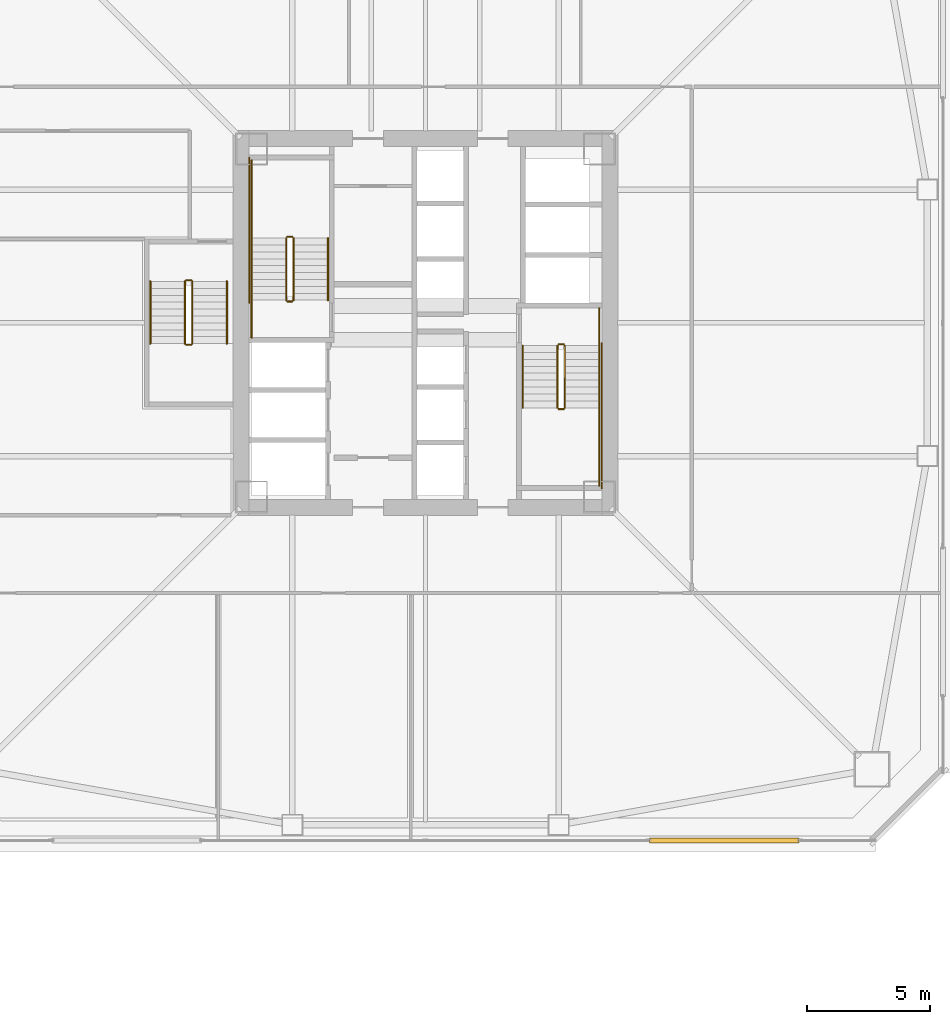
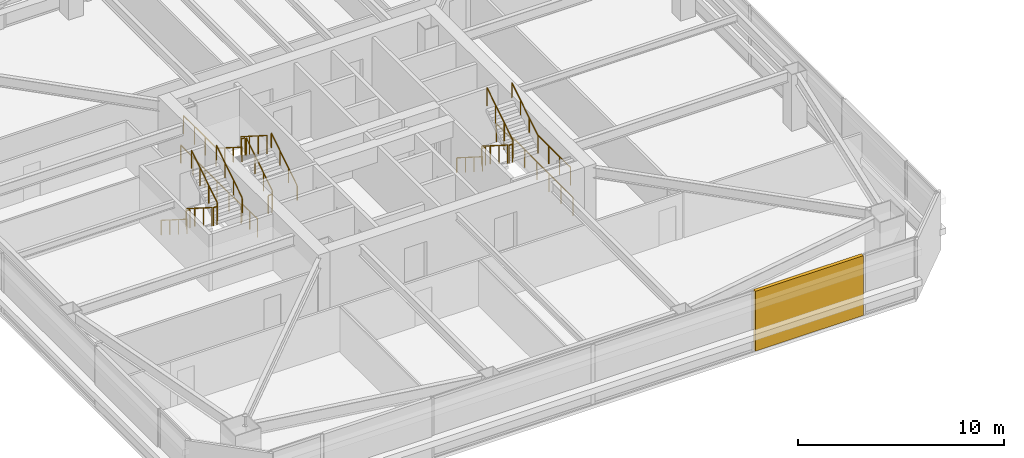
# One storey, part 44 of 48: 24 railings, 1 covering.
"""IFC4 building model written with IfcOpenShell, lengths in metres."""

from ifc_helpers import new_model, si_unit, direction, frame, origin, origin_2d, place, context, subcontext, project, spatial, rectangle, extrude, material, layer, layer_set, type_object, element, save


model = new_model("IFC4")

# Units and contexts
model_context = context("Model", 3, precision=1e-05, world=origin(), true_north=direction((0.0, 1.0)))
body_context = subcontext(model_context, "Body", "Model", "MODEL_VIEW")
ifc_project = project(units=[si_unit("LENGTHUNIT", "METRE"), si_unit("AREAUNIT", "SQUARE_METRE"), si_unit("VOLUMEUNIT", "CUBIC_METRE"), si_unit("PLANEANGLEUNIT", "RADIAN"), si_unit("MASSUNIT", "GRAM", prefix="KILO")], contexts=[model_context])

# Site, building, storey
site_placement = place(None, origin())
site = spatial("IfcSite", under=ifc_project, at=site_placement, CompositionType="ELEMENT")
building_placement = place(site_placement, origin())
building = spatial("IfcBuilding", under=site, at=building_placement, Name="Tashvorn Skyway Center", CompositionType="ELEMENT")
storey_placement = place(building_placement, frame((0.0, 0.0, 77.85009765625)))
storey = spatial("IfcBuildingStorey", under=building, at=storey_placement, Name="L20", CompositionType="ELEMENT", Elevation=77.85009765625)

# Covering
ifc_material_1 = material(Name="Precast concrete C40/50", Category="concrete")
ifc_layer = layer(ifc_material_1, 0.199951171875)
ifc_layer_set = layer_set([ifc_layer], Name="Precast concrete C40/50")
covering_type = type_object("IfcCoveringType", Name="COV-BRACE-CLAD", PredefinedType="CLADDING", material=ifc_layer_set)
covering_placement = place(storey_placement, frame((54.1201171875, 11.02001953125, 0.0), z_axis=(0.0, 0.0, 1.0), x_axis=(-1.0, 0.0, 0.0)))
element("IfcCovering", 1, at=covering_placement, inside=storey, type_object=covering_type, Name="Tower 1 L20 South Unitised Curtain Wall Mega-Brace Cladding Band 1", PredefinedType="CLADDING", context=body_context, shape_type="SweptSolid", body=[
    extrude(rectangle(XDim=6.06005859375, YDim=0.199951171875, at=origin_2d()), origin(), (0.0, 0.0, 1.0), 3.550048828125),
])

# Railings
ifc_material_2 = material(Name="Brushed stainless steel 316", Category="steel")
railing_type_1 = type_object("IfcRailingType", Name="RAIL-HAND-920", PredefinedType="HANDRAIL", material=ifc_material_2)
railing_1_placement = place(storey_placement, frame((38.050048828125, 32.919921875, 0.177490234375)))
element("IfcRailing", 2, at=railing_1_placement, inside=storey, type_object=railing_type_1, Name="L20 ST-T1-1 stair handrail 1", PredefinedType="HANDRAIL", context=body_context, shape_type="SweptSolid", body=[
    extrude(rectangle(XDim=0.048095703125, YDim=0.048095703125, at=origin_2d()), frame((0.0, 0.0, 0.8759765625), z_axis=(0.0, 0.84460694969, 0.535386869969), x_axis=(-1.0, 0.0, 0.0)), (0.0, 0.0, 1.0), 2.983642578125),
    extrude(rectangle(XDim=0.0419921875, YDim=0.0419921875, at=origin_2d()), origin(), (0.0, 0.0, 1.0), 0.851806640625),
    extrude(rectangle(XDim=0.0419921875, YDim=0.0419921875, at=origin_2d()), frame((0.0, 0.840087890625, 0.532470703125)), (0.0, 0.0, 1.0), 0.851806640625),
    extrude(rectangle(XDim=0.0419921875, YDim=0.0419921875, at=origin_2d()), frame((0.0, 1.679931640625, 1.06494140625)), (0.0, 0.0, 1.0), 0.851806640625),
    extrude(rectangle(XDim=0.0419921875, YDim=0.0419921875, at=origin_2d()), frame((0.0, 2.52001953125, 1.597412109375)), (0.0, 0.0, 1.0), 0.851806640625),
])
for number, where, name in (
    (3, (34.949951171875, 35.43994140625, 1.952392578125), "L20 ST-T1-1 stair handrail 2"),
    (4, (45.949951171875, 31.080078125, 0.177490234375), "L20 ST-T1-2 stair handrail 1"),
):
    element("IfcRailing", number, at=place(storey_placement, frame(where)), inside=storey, type_object=railing_type_1, Name=name, PredefinedType="HANDRAIL", context=body_context, shape_type="SweptSolid", body=[
        extrude(rectangle(XDim=0.048095703125, YDim=0.048095703125, at=origin_2d()), frame((0.0, 0.0, 0.8759765625), z_axis=(0.0, -0.84460694969, 0.535386869969), x_axis=(1.0, 0.0, 0.0)), (0.0, 0.0, 1.0), 2.983642578125),
        extrude(rectangle(XDim=0.0419921875, YDim=0.0419921875, at=origin_2d()), origin(), (0.0, 0.0, 1.0), 0.851806640625),
        extrude(rectangle(XDim=0.0419921875, YDim=0.0419921875, at=origin_2d()), frame((0.0, -0.840087890625, 0.532470703125)), (0.0, 0.0, 1.0), 0.851806640625),
        extrude(rectangle(XDim=0.0419921875, YDim=0.0419921875, at=origin_2d()), frame((0.0, -1.679931640625, 1.06494140625)), (0.0, 0.0, 1.0), 0.851806640625),
        extrude(rectangle(XDim=0.0419921875, YDim=0.0419921875, at=origin_2d()), frame((0.0, -2.52001953125, 1.597412109375)), (0.0, 0.0, 1.0), 0.851806640625),
    ])
railing_2_placement = place(storey_placement, frame((49.050048828125, 28.56005859375, 1.952392578125)))
element("IfcRailing", 5, at=railing_2_placement, inside=storey, type_object=railing_type_1, Name="L20 ST-T1-2 stair handrail 2", PredefinedType="HANDRAIL", context=body_context, shape_type="SweptSolid", body=[
    extrude(rectangle(XDim=0.048095703125, YDim=0.048095703125, at=origin_2d()), frame((0.0, 0.0, 0.8759765625), z_axis=(0.0, 0.84460694969, 0.535386869969), x_axis=(-1.0, 0.0, 0.0)), (0.0, 0.0, 1.0), 2.983642578125),
    extrude(rectangle(XDim=0.0419921875, YDim=0.0419921875, at=origin_2d()), origin(), (0.0, 0.0, 1.0), 0.851806640625),
    extrude(rectangle(XDim=0.0419921875, YDim=0.0419921875, at=origin_2d()), frame((0.0, 0.840087890625, 0.532470703125)), (0.0, 0.0, 1.0), 0.851806640625),
    extrude(rectangle(XDim=0.0419921875, YDim=0.0419921875, at=origin_2d()), frame((0.0, 1.679931640625, 1.06494140625)), (0.0, 0.0, 1.0), 0.851806640625),
    extrude(rectangle(XDim=0.0419921875, YDim=0.0419921875, at=origin_2d()), frame((0.0, 2.52001953125, 1.597412109375)), (0.0, 0.0, 1.0), 0.851806640625),
])
railing_3_placement = place(storey_placement, frame((30.85009765625, 33.679931640625, 0.177490234375)))
element("IfcRailing", 6, at=railing_3_placement, inside=storey, type_object=railing_type_1, Name="L20 ST-T1-3 stair handrail 1", PredefinedType="HANDRAIL", context=body_context, shape_type="SweptSolid", body=[
    extrude(rectangle(XDim=0.048095703125, YDim=0.048095703125, at=origin_2d()), frame((0.0, 0.0, 0.8759765625), z_axis=(0.0, -0.84460694969, 0.535386869969), x_axis=(1.0, 0.0, 0.0)), (0.0, 0.0, 1.0), 2.983642578125),
    extrude(rectangle(XDim=0.0419921875, YDim=0.0419921875, at=origin_2d()), origin(), (0.0, 0.0, 1.0), 0.851806640625),
    extrude(rectangle(XDim=0.0419921875, YDim=0.0419921875, at=origin_2d()), frame((0.0, -0.840087890625, 0.532470703125)), (0.0, 0.0, 1.0), 0.851806640625),
    extrude(rectangle(XDim=0.0419921875, YDim=0.0419921875, at=origin_2d()), frame((0.0, -1.679931640625, 1.06494140625)), (0.0, 0.0, 1.0), 0.851806640625),
    extrude(rectangle(XDim=0.0419921875, YDim=0.0419921875, at=origin_2d()), frame((0.0, -2.52001953125, 1.597412109375)), (0.0, 0.0, 1.0), 0.851806640625),
])
railing_4_placement = place(storey_placement, frame((33.949951171875, 31.159912109375, 1.952392578125)))
element("IfcRailing", 7, at=railing_4_placement, inside=storey, type_object=railing_type_1, Name="L20 ST-T1-3 stair handrail 2", PredefinedType="HANDRAIL", context=body_context, shape_type="SweptSolid", body=[
    extrude(rectangle(XDim=0.048095703125, YDim=0.048095703125, at=origin_2d()), frame((0.0, 0.0, 0.8759765625), z_axis=(0.0, 0.84460694969, 0.535386869969), x_axis=(-1.0, 0.0, 0.0)), (0.0, 0.0, 1.0), 2.983642578125),
    extrude(rectangle(XDim=0.0419921875, YDim=0.0419921875, at=origin_2d()), origin(), (0.0, 0.0, 1.0), 0.851806640625),
    extrude(rectangle(XDim=0.0419921875, YDim=0.0419921875, at=origin_2d()), frame((0.0, 0.840087890625, 0.532470703125)), (0.0, 0.0, 1.0), 0.851806640625),
    extrude(rectangle(XDim=0.0419921875, YDim=0.0419921875, at=origin_2d()), frame((0.0, 1.679931640625, 1.06494140625)), (0.0, 0.0, 1.0), 0.851806640625),
    extrude(rectangle(XDim=0.0419921875, YDim=0.0419921875, at=origin_2d()), frame((0.0, 2.52001953125, 1.597412109375)), (0.0, 0.0, 1.0), 0.851806640625),
])
ifc_material_3 = material(Name="Painted galvanized steel S355", Category="steel")
railing_type_2 = type_object("IfcRailingType", Name="RAIL-STGUARD-1100", PredefinedType="GUARDRAIL", material=ifc_material_3)
railing_5_placement = place(storey_placement, frame((36.64990234375, 32.919921875, 0.177490234375)))
element("IfcRailing", 8, at=railing_5_placement, inside=storey, type_object=railing_type_2, Name="L20 ST-T1-1 stair guard 1", PredefinedType="GUARDRAIL", context=body_context, shape_type="SweptSolid", body=[
    extrude(rectangle(XDim=0.048095703125, YDim=0.048095703125, at=origin_2d()), frame((0.0, 0.0, 1.076171875), z_axis=(0.0, 0.84460694969, 0.535386869969), x_axis=(-1.0, 0.0, 0.0)), (0.0, 0.0, 1.0), 2.983642578125),
    extrude(rectangle(XDim=0.0419921875, YDim=0.0419921875, at=origin_2d()), origin(), (0.0, 0.0, 1.0), 1.052001953125),
    extrude(rectangle(XDim=0.0419921875, YDim=0.0419921875, at=origin_2d()), frame((0.0, 0.840087890625, 0.532470703125)), (0.0, 0.0, 1.0), 1.052001953125),
    extrude(rectangle(XDim=0.0419921875, YDim=0.0419921875, at=origin_2d()), frame((0.0, 1.679931640625, 1.06494140625)), (0.0, 0.0, 1.0), 1.052001953125),
    extrude(rectangle(XDim=0.0419921875, YDim=0.0419921875, at=origin_2d()), frame((0.0, 2.52001953125, 1.597412109375)), (0.0, 0.0, 1.0), 1.052001953125),
])
railing_6_placement = place(storey_placement, frame((36.60009765625, 35.489990234375, 1.77490234375)))
element("IfcRailing", 9, at=railing_6_placement, inside=storey, type_object=railing_type_2, Name="L20 ST-T1-1 stair guard 2", PredefinedType="GUARDRAIL", context=body_context, shape_type="SweptSolid", body=[
    extrude(rectangle(XDim=0.048095703125, YDim=0.048095703125, at=origin_2d()), frame((0.0, 0.0, 1.076171875), z_axis=(-1.0, 0.0, 0.0), x_axis=(0.0, -1.0, 0.0)), (0.0, 0.0, 1.0), 0.2001953125),
    extrude(rectangle(XDim=0.0419921875, YDim=0.0419921875, at=origin_2d()), origin(), (0.0, 0.0, 1.0), 1.052001953125),
    extrude(rectangle(XDim=0.0419921875, YDim=0.0419921875, at=origin_2d()), frame((-0.2001953125, 0.0, 0.0)), (0.0, 0.0, 1.0), 1.052001953125),
])
railing_7_placement = place(storey_placement, frame((34.949951171875, 35.43994140625, 1.77490234375)))
element("IfcRailing", 10, at=railing_7_placement, inside=storey, type_object=railing_type_2, Name="L20 ST-T1-1 stair guard 3", PredefinedType="GUARDRAIL", context=body_context, shape_type="SweptSolid", body=[
    extrude(rectangle(XDim=0.048095703125, YDim=0.048095703125, at=origin_2d()), frame((0.0, 0.0, 1.076171875), z_axis=(0.0, 1.0, 0.0), x_axis=(-1.0, 0.0, 0.0)), (0.0, 0.0, 1.0), 3.16015625),
    extrude(rectangle(XDim=0.0419921875, YDim=0.0419921875, at=origin_2d()), origin(), (0.0, 0.0, 1.0), 1.052001953125),
    extrude(rectangle(XDim=0.0419921875, YDim=0.0419921875, at=origin_2d()), frame((0.0, 1.053466796875, 0.0)), (0.0, 0.0, 1.0), 1.052001953125),
    extrude(rectangle(XDim=0.0419921875, YDim=0.0419921875, at=origin_2d()), frame((0.0, 2.106689453125, 0.0)), (0.0, 0.0, 1.0), 1.052001953125),
    extrude(rectangle(XDim=0.0419921875, YDim=0.0419921875, at=origin_2d()), frame((0.0, 3.16015625, 0.0)), (0.0, 0.0, 1.0), 1.052001953125),
])
railing_8_placement = place(storey_placement, frame((36.35009765625, 35.43994140625, 1.952392578125)))
element("IfcRailing", 11, at=railing_8_placement, inside=storey, type_object=railing_type_2, Name="L20 ST-T1-1 stair guard 4", PredefinedType="GUARDRAIL", context=body_context, shape_type="SweptSolid", body=[
    extrude(rectangle(XDim=0.048095703125, YDim=0.048095703125, at=origin_2d()), frame((0.0, 0.0, 1.076171875), z_axis=(0.0, -0.84460694969, 0.535386869969), x_axis=(1.0, 0.0, 0.0)), (0.0, 0.0, 1.0), 2.983642578125),
    extrude(rectangle(XDim=0.0419921875, YDim=0.0419921875, at=origin_2d()), origin(), (0.0, 0.0, 1.0), 1.052001953125),
    extrude(rectangle(XDim=0.0419921875, YDim=0.0419921875, at=origin_2d()), frame((0.0, -0.840087890625, 0.532470703125)), (0.0, 0.0, 1.0), 1.052001953125),
    extrude(rectangle(XDim=0.0419921875, YDim=0.0419921875, at=origin_2d()), frame((0.0, -1.679931640625, 1.06494140625)), (0.0, 0.0, 1.0), 1.052001953125),
    extrude(rectangle(XDim=0.0419921875, YDim=0.0419921875, at=origin_2d()), frame((0.0, -2.52001953125, 1.597412109375)), (0.0, 0.0, 1.0), 1.052001953125),
])
railing_9_placement = place(storey_placement, frame((36.60009765625, 32.8701171875, 0.0)))
element("IfcRailing", 12, at=railing_9_placement, inside=storey, type_object=railing_type_2, Name="L20 ST-T1-1 stair guard 5", PredefinedType="GUARDRAIL", context=body_context, shape_type="SweptSolid", body=[
    extrude(rectangle(XDim=0.048095703125, YDim=0.048095703125, at=origin_2d()), frame((0.0, 0.0, 1.076171875), z_axis=(-1.0, 0.0, 0.0), x_axis=(0.0, -1.0, 0.0)), (0.0, 0.0, 1.0), 0.2001953125),
    extrude(rectangle(XDim=0.0419921875, YDim=0.0419921875, at=origin_2d()), origin(), (0.0, 0.0, 1.0), 1.052001953125),
    extrude(rectangle(XDim=0.0419921875, YDim=0.0419921875, at=origin_2d()), frame((-0.2001953125, 0.0, 0.0)), (0.0, 0.0, 1.0), 1.052001953125),
])
railing_10_placement = place(storey_placement, frame((34.949951171875, 31.39990234375, 0.0)))
element("IfcRailing", 13, at=railing_10_placement, inside=storey, type_object=railing_type_2, Name="L20 ST-T1-1 stair guard 6", PredefinedType="GUARDRAIL", context=body_context, shape_type="SweptSolid", body=[
    extrude(rectangle(XDim=0.048095703125, YDim=0.048095703125, at=origin_2d()), frame((0.0, 0.0, 1.076171875), z_axis=(0.0, 1.0, 0.0), x_axis=(-1.0, 0.0, 0.0)), (0.0, 0.0, 1.0), 1.52001953125),
    extrude(rectangle(XDim=0.0419921875, YDim=0.0419921875, at=origin_2d()), origin(), (0.0, 0.0, 1.0), 1.052001953125),
    extrude(rectangle(XDim=0.0419921875, YDim=0.0419921875, at=origin_2d()), frame((0.0, 0.760009765625, 0.0)), (0.0, 0.0, 1.0), 1.052001953125),
    extrude(rectangle(XDim=0.0419921875, YDim=0.0419921875, at=origin_2d()), frame((0.0, 1.52001953125, 0.0)), (0.0, 0.0, 1.0), 1.052001953125),
])
railing_11_placement = place(storey_placement, frame((34.85009765625, 32.820068359375, 0.0)))
element("IfcRailing", 14, at=railing_11_placement, inside=storey, type_object=railing_type_2, Name="L20 ST-T1-1 stair guard 7", PredefinedType="GUARDRAIL", context=body_context, shape_type="SweptSolid", body=[
    extrude(rectangle(XDim=0.048095703125, YDim=0.048095703125, at=origin_2d()), frame((0.0, 0.0, 1.076171875), z_axis=(0.0, 1.0, 0.0), x_axis=(-1.0, 0.0, 0.0)), (0.0, 0.0, 1.0), 5.8798828125),
    extrude(rectangle(XDim=0.0419921875, YDim=0.0419921875, at=origin_2d()), origin(), (0.0, 0.0, 1.0), 1.052001953125),
    extrude(rectangle(XDim=0.0419921875, YDim=0.0419921875, at=origin_2d()), frame((0.0, 1.176025390625, 0.0)), (0.0, 0.0, 1.0), 1.052001953125),
    extrude(rectangle(XDim=0.0419921875, YDim=0.0419921875, at=origin_2d()), frame((0.0, 2.35205078125, 0.0)), (0.0, 0.0, 1.0), 1.052001953125),
    extrude(rectangle(XDim=0.0419921875, YDim=0.0419921875, at=origin_2d()), frame((0.0, 3.52783203125, 0.0)), (0.0, 0.0, 1.0), 1.052001953125),
    extrude(rectangle(XDim=0.0419921875, YDim=0.0419921875, at=origin_2d()), frame((0.0, 4.703857421875, 0.0)), (0.0, 0.0, 1.0), 1.052001953125),
    extrude(rectangle(XDim=0.0419921875, YDim=0.0419921875, at=origin_2d()), frame((0.0, 5.8798828125, 0.0)), (0.0, 0.0, 1.0), 1.052001953125),
])
railing_12_placement = place(storey_placement, frame((47.35009765625, 31.080078125, 0.177490234375)))
element("IfcRailing", 15, at=railing_12_placement, inside=storey, type_object=railing_type_2, Name="L20 ST-T1-2 stair guard 1", PredefinedType="GUARDRAIL", context=body_context, shape_type="SweptSolid", body=[
    extrude(rectangle(XDim=0.048095703125, YDim=0.048095703125, at=origin_2d()), frame((0.0, 0.0, 1.076171875), z_axis=(0.0, -0.84460694969, 0.535386869969), x_axis=(1.0, 0.0, 0.0)), (0.0, 0.0, 1.0), 2.983642578125),
    extrude(rectangle(XDim=0.0419921875, YDim=0.0419921875, at=origin_2d()), origin(), (0.0, 0.0, 1.0), 1.052001953125),
    extrude(rectangle(XDim=0.0419921875, YDim=0.0419921875, at=origin_2d()), frame((0.0, -0.840087890625, 0.532470703125)), (0.0, 0.0, 1.0), 1.052001953125),
    extrude(rectangle(XDim=0.0419921875, YDim=0.0419921875, at=origin_2d()), frame((0.0, -1.679931640625, 1.06494140625)), (0.0, 0.0, 1.0), 1.052001953125),
    extrude(rectangle(XDim=0.0419921875, YDim=0.0419921875, at=origin_2d()), frame((0.0, -2.52001953125, 1.597412109375)), (0.0, 0.0, 1.0), 1.052001953125),
])
railing_13_placement = place(storey_placement, frame((47.39990234375, 28.510009765625, 1.77490234375)))
element("IfcRailing", 16, at=railing_13_placement, inside=storey, type_object=railing_type_2, Name="L20 ST-T1-2 stair guard 2", PredefinedType="GUARDRAIL", context=body_context, shape_type="SweptSolid", body=[
    extrude(rectangle(XDim=0.048095703125, YDim=0.048095703125, at=origin_2d()), frame((0.0, 0.0, 1.076171875), z_axis=(1.0, 0.0, 0.0), x_axis=(0.0, 1.0, 0.0)), (0.0, 0.0, 1.0), 0.2001953125),
    extrude(rectangle(XDim=0.0419921875, YDim=0.0419921875, at=origin_2d()), origin(), (0.0, 0.0, 1.0), 1.052001953125),
    extrude(rectangle(XDim=0.0419921875, YDim=0.0419921875, at=origin_2d()), frame((0.2001953125, 0.0, 0.0)), (0.0, 0.0, 1.0), 1.052001953125),
])
railing_14_placement = place(storey_placement, frame((49.050048828125, 28.56005859375, 1.77490234375)))
element("IfcRailing", 17, at=railing_14_placement, inside=storey, type_object=railing_type_2, Name="L20 ST-T1-2 stair guard 3", PredefinedType="GUARDRAIL", context=body_context, shape_type="SweptSolid", body=[
    extrude(rectangle(XDim=0.048095703125, YDim=0.048095703125, at=origin_2d()), frame((0.0, 0.0, 1.076171875), z_axis=(0.0, -1.0, 0.0), x_axis=(1.0, 0.0, 0.0)), (0.0, 0.0, 1.0), 3.16015625),
    extrude(rectangle(XDim=0.0419921875, YDim=0.0419921875, at=origin_2d()), origin(), (0.0, 0.0, 1.0), 1.052001953125),
    extrude(rectangle(XDim=0.0419921875, YDim=0.0419921875, at=origin_2d()), frame((0.0, -1.053466796875, 0.0)), (0.0, 0.0, 1.0), 1.052001953125),
    extrude(rectangle(XDim=0.0419921875, YDim=0.0419921875, at=origin_2d()), frame((0.0, -2.106689453125, 0.0)), (0.0, 0.0, 1.0), 1.052001953125),
    extrude(rectangle(XDim=0.0419921875, YDim=0.0419921875, at=origin_2d()), frame((0.0, -3.16015625, 0.0)), (0.0, 0.0, 1.0), 1.052001953125),
])
railing_15_placement = place(storey_placement, frame((47.64990234375, 28.56005859375, 1.952392578125)))
element("IfcRailing", 18, at=railing_15_placement, inside=storey, type_object=railing_type_2, Name="L20 ST-T1-2 stair guard 4", PredefinedType="GUARDRAIL", context=body_context, shape_type="SweptSolid", body=[
    extrude(rectangle(XDim=0.048095703125, YDim=0.048095703125, at=origin_2d()), frame((0.0, 0.0, 1.076171875), z_axis=(0.0, 0.84460694969, 0.535386869969), x_axis=(-1.0, 0.0, 0.0)), (0.0, 0.0, 1.0), 2.983642578125),
    extrude(rectangle(XDim=0.0419921875, YDim=0.0419921875, at=origin_2d()), origin(), (0.0, 0.0, 1.0), 1.052001953125),
    extrude(rectangle(XDim=0.0419921875, YDim=0.0419921875, at=origin_2d()), frame((0.0, 0.840087890625, 0.532470703125)), (0.0, 0.0, 1.0), 1.052001953125),
    extrude(rectangle(XDim=0.0419921875, YDim=0.0419921875, at=origin_2d()), frame((0.0, 1.679931640625, 1.06494140625)), (0.0, 0.0, 1.0), 1.052001953125),
    extrude(rectangle(XDim=0.0419921875, YDim=0.0419921875, at=origin_2d()), frame((0.0, 2.52001953125, 1.597412109375)), (0.0, 0.0, 1.0), 1.052001953125),
])
railing_16_placement = place(storey_placement, frame((47.39990234375, 31.1298828125, 0.0)))
element("IfcRailing", 19, at=railing_16_placement, inside=storey, type_object=railing_type_2, Name="L20 ST-T1-2 stair guard 5", PredefinedType="GUARDRAIL", context=body_context, shape_type="SweptSolid", body=[
    extrude(rectangle(XDim=0.048095703125, YDim=0.048095703125, at=origin_2d()), frame((0.0, 0.0, 1.076171875), z_axis=(1.0, 0.0, 0.0), x_axis=(0.0, 1.0, 0.0)), (0.0, 0.0, 1.0), 0.2001953125),
    extrude(rectangle(XDim=0.0419921875, YDim=0.0419921875, at=origin_2d()), origin(), (0.0, 0.0, 1.0), 1.052001953125),
    extrude(rectangle(XDim=0.0419921875, YDim=0.0419921875, at=origin_2d()), frame((0.2001953125, 0.0, 0.0)), (0.0, 0.0, 1.0), 1.052001953125),
])
railing_17_placement = place(storey_placement, frame((49.050048828125, 32.60009765625, 0.0)))
element("IfcRailing", 20, at=railing_17_placement, inside=storey, type_object=railing_type_2, Name="L20 ST-T1-2 stair guard 6", PredefinedType="GUARDRAIL", context=body_context, shape_type="SweptSolid", body=[
    extrude(rectangle(XDim=0.048095703125, YDim=0.048095703125, at=origin_2d()), frame((0.0, 0.0, 1.076171875), z_axis=(0.0, -1.0, 0.0), x_axis=(1.0, 0.0, 0.0)), (0.0, 0.0, 1.0), 1.52001953125),
    extrude(rectangle(XDim=0.0419921875, YDim=0.0419921875, at=origin_2d()), origin(), (0.0, 0.0, 1.0), 1.052001953125),
    extrude(rectangle(XDim=0.0419921875, YDim=0.0419921875, at=origin_2d()), frame((0.0, -0.760009765625, 0.0)), (0.0, 0.0, 1.0), 1.052001953125),
    extrude(rectangle(XDim=0.0419921875, YDim=0.0419921875, at=origin_2d()), frame((0.0, -1.52001953125, 0.0)), (0.0, 0.0, 1.0), 1.052001953125),
])
railing_18_placement = place(storey_placement, frame((49.14990234375, 31.179931640625, 0.0)))
element("IfcRailing", 21, at=railing_18_placement, inside=storey, type_object=railing_type_2, Name="L20 ST-T1-2 stair guard 7", PredefinedType="GUARDRAIL", context=body_context, shape_type="SweptSolid", body=[
    extrude(rectangle(XDim=0.048095703125, YDim=0.048095703125, at=origin_2d()), frame((0.0, 0.0, 1.076171875), z_axis=(0.0, -1.0, 0.0), x_axis=(1.0, 0.0, 0.0)), (0.0, 0.0, 1.0), 5.8798828125),
    extrude(rectangle(XDim=0.0419921875, YDim=0.0419921875, at=origin_2d()), origin(), (0.0, 0.0, 1.0), 1.052001953125),
    extrude(rectangle(XDim=0.0419921875, YDim=0.0419921875, at=origin_2d()), frame((0.0, -1.176025390625, 0.0)), (0.0, 0.0, 1.0), 1.052001953125),
    extrude(rectangle(XDim=0.0419921875, YDim=0.0419921875, at=origin_2d()), frame((0.0, -2.35205078125, 0.0)), (0.0, 0.0, 1.0), 1.052001953125),
    extrude(rectangle(XDim=0.0419921875, YDim=0.0419921875, at=origin_2d()), frame((0.0, -3.52783203125, 0.0)), (0.0, 0.0, 1.0), 1.052001953125),
    extrude(rectangle(XDim=0.0419921875, YDim=0.0419921875, at=origin_2d()), frame((0.0, -4.703857421875, 0.0)), (0.0, 0.0, 1.0), 1.052001953125),
    extrude(rectangle(XDim=0.0419921875, YDim=0.0419921875, at=origin_2d()), frame((0.0, -5.8798828125, 0.0)), (0.0, 0.0, 1.0), 1.052001953125),
])
railing_19_placement = place(storey_placement, frame((32.25, 33.679931640625, 0.177490234375)))
element("IfcRailing", 22, at=railing_19_placement, inside=storey, type_object=railing_type_2, Name="L20 ST-T1-3 stair guard 1", PredefinedType="GUARDRAIL", context=body_context, shape_type="SweptSolid", body=[
    extrude(rectangle(XDim=0.048095703125, YDim=0.048095703125, at=origin_2d()), frame((0.0, 0.0, 1.076171875), z_axis=(0.0, -0.84460694969, 0.535386869969), x_axis=(1.0, 0.0, 0.0)), (0.0, 0.0, 1.0), 2.983642578125),
    extrude(rectangle(XDim=0.0419921875, YDim=0.0419921875, at=origin_2d()), origin(), (0.0, 0.0, 1.0), 1.052001953125),
    extrude(rectangle(XDim=0.0419921875, YDim=0.0419921875, at=origin_2d()), frame((0.0, -0.840087890625, 0.532470703125)), (0.0, 0.0, 1.0), 1.052001953125),
    extrude(rectangle(XDim=0.0419921875, YDim=0.0419921875, at=origin_2d()), frame((0.0, -1.679931640625, 1.06494140625)), (0.0, 0.0, 1.0), 1.052001953125),
    extrude(rectangle(XDim=0.0419921875, YDim=0.0419921875, at=origin_2d()), frame((0.0, -2.52001953125, 1.597412109375)), (0.0, 0.0, 1.0), 1.052001953125),
])
railing_20_placement = place(storey_placement, frame((32.300048828125, 31.110107421875, 1.77490234375)))
element("IfcRailing", 23, at=railing_20_placement, inside=storey, type_object=railing_type_2, Name="L20 ST-T1-3 stair guard 2", PredefinedType="GUARDRAIL", context=body_context, shape_type="SweptSolid", body=[
    extrude(rectangle(XDim=0.048095703125, YDim=0.048095703125, at=origin_2d()), frame((0.0, 0.0, 1.076171875), z_axis=(1.0, 0.0, 0.0), x_axis=(0.0, 1.0, 0.0)), (0.0, 0.0, 1.0), 0.199951171875),
    extrude(rectangle(XDim=0.0419921875, YDim=0.0419921875, at=origin_2d()), origin(), (0.0, 0.0, 1.0), 1.052001953125),
    extrude(rectangle(XDim=0.0419921875, YDim=0.0419921875, at=origin_2d()), frame((0.199951171875, 0.0, 0.0)), (0.0, 0.0, 1.0), 1.052001953125),
])
railing_21_placement = place(storey_placement, frame((32.550048828125, 31.159912109375, 1.952392578125)))
element("IfcRailing", 24, at=railing_21_placement, inside=storey, type_object=railing_type_2, Name="L20 ST-T1-3 stair guard 3", PredefinedType="GUARDRAIL", context=body_context, shape_type="SweptSolid", body=[
    extrude(rectangle(XDim=0.048095703125, YDim=0.048095703125, at=origin_2d()), frame((0.0, 0.0, 1.076171875), z_axis=(0.0, 0.84460694969, 0.535386869969), x_axis=(-1.0, 0.0, 0.0)), (0.0, 0.0, 1.0), 2.983642578125),
    extrude(rectangle(XDim=0.0419921875, YDim=0.0419921875, at=origin_2d()), origin(), (0.0, 0.0, 1.0), 1.052001953125),
    extrude(rectangle(XDim=0.0419921875, YDim=0.0419921875, at=origin_2d()), frame((0.0, 0.840087890625, 0.532470703125)), (0.0, 0.0, 1.0), 1.052001953125),
    extrude(rectangle(XDim=0.0419921875, YDim=0.0419921875, at=origin_2d()), frame((0.0, 1.679931640625, 1.06494140625)), (0.0, 0.0, 1.0), 1.052001953125),
    extrude(rectangle(XDim=0.0419921875, YDim=0.0419921875, at=origin_2d()), frame((0.0, 2.52001953125, 1.597412109375)), (0.0, 0.0, 1.0), 1.052001953125),
])
railing_22_placement = place(storey_placement, frame((32.300048828125, 33.72998046875, 0.0)))
element("IfcRailing", 25, at=railing_22_placement, inside=storey, type_object=railing_type_2, Name="L20 ST-T1-3 stair guard 4", PredefinedType="GUARDRAIL", context=body_context, shape_type="SweptSolid", body=[
    extrude(rectangle(XDim=0.048095703125, YDim=0.048095703125, at=origin_2d()), frame((0.0, 0.0, 1.076171875), z_axis=(1.0, 0.0, 0.0), x_axis=(0.0, 1.0, 0.0)), (0.0, 0.0, 1.0), 0.199951171875),
    extrude(rectangle(XDim=0.0419921875, YDim=0.0419921875, at=origin_2d()), origin(), (0.0, 0.0, 1.0), 1.052001953125),
    extrude(rectangle(XDim=0.0419921875, YDim=0.0419921875, at=origin_2d()), frame((0.199951171875, 0.0, 0.0)), (0.0, 0.0, 1.0), 1.052001953125),
])

save(model, "model.ifc")
